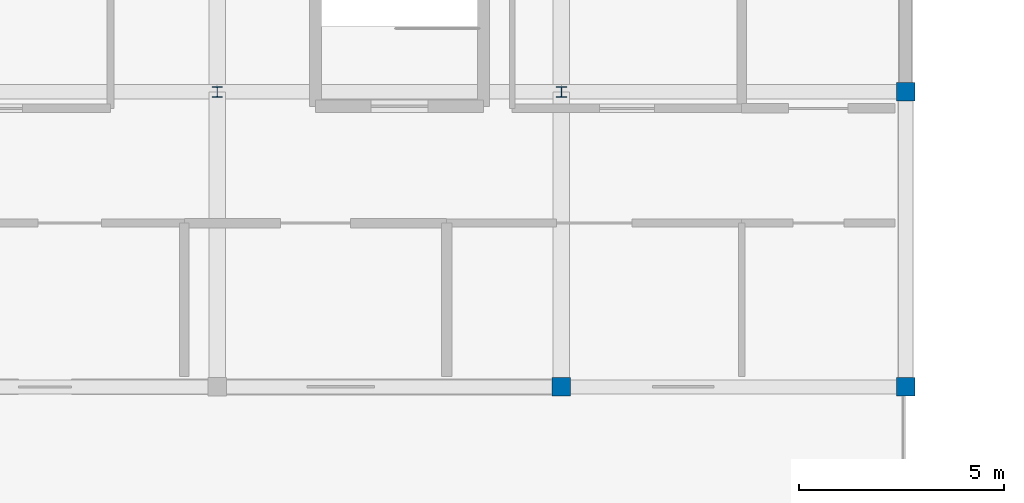
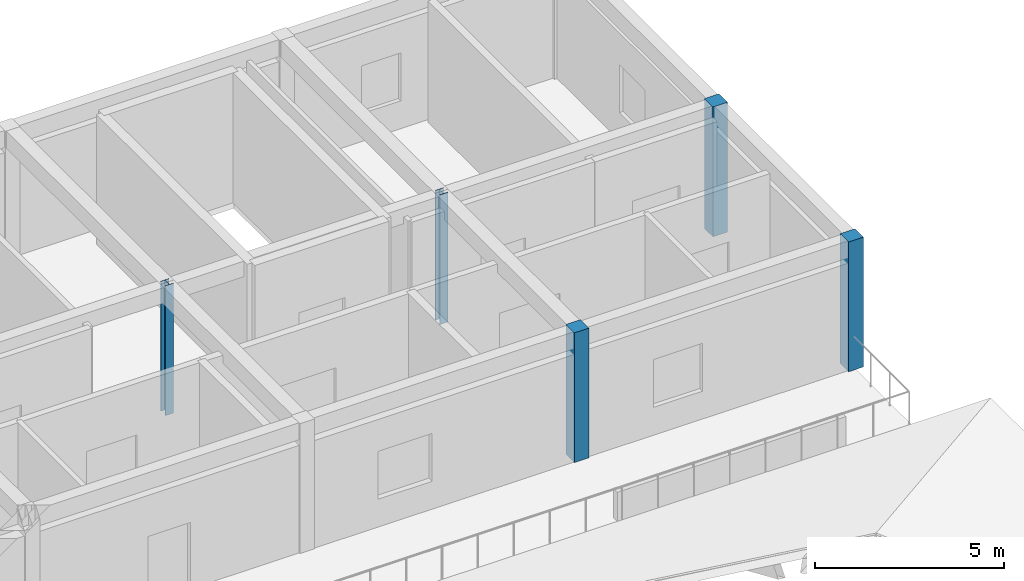
# One storey, part 7 of 22: 5 columns.
"""IFC4 building model written with IfcOpenShell, lengths in metres."""

import ifcopenshell
import ifcopenshell.guid

model = None  # the IFC model being written
_history = None  # IfcOwnerHistory: only IFC2X3 demands one
_inside = {}  # id of a spatial element -> (the spatial element, [elements in it])
_under = {}  # id of a project, library or spatial element -> (it, [spatial elements below it])
_declared = {}  # id of a project -> (the project, [libraries it declares])
_typed = {}  # id of a type object -> (the type object, [elements of that type])
_made_of = {}  # id of a material, layer set ... -> (it, [elements and type objects made of it])


def new_model(schema):
    """Start an empty IFC model of exactly this schema.

    Asked for "IFC4X3", IfcOpenShell would pick the latest addendum, in which some entities
    have other attributes; the version numbers below select the first issue.
    IFC2X3 requires an IfcOwnerHistory on every rooted entity: one is made here for all.
    """
    global model, _history
    if schema == "IFC4X3":
        model = ifcopenshell.file(schema_version=(4, 3, 0, 0))
    else:
        model = ifcopenshell.file(schema=schema)
    _inside.clear()
    _under.clear()
    _declared.clear()
    _typed.clear()
    _made_of.clear()
    _history = None
    if model.schema == "IFC2X3":
        org = make("IfcOrganization", Name="unknown")
        user = make(
            "IfcPersonAndOrganization",
            ThePerson=make("IfcPerson", FamilyName="unknown"),
            TheOrganization=org,
        )
        app = make(
            "IfcApplication",
            ApplicationDeveloper=org,
            Version="unknown",
            ApplicationFullName="unknown",
            ApplicationIdentifier="unknown",
        )
        _history = make(
            "IfcOwnerHistory",
            OwningUser=user,
            OwningApplication=app,
            ChangeAction="ADDED",
            CreationDate=0,
        )
    return model


def make(cls, **values):
    """One entity of the class cls with the attributes given. An attribute that is None is left unset."""
    return model.create_entity(
        cls, **{name: value for name, value in values.items() if value is not None}
    )


def rooted(cls, **values):
    """An entity with a GlobalId (a new one), such as an element, a storey or a relation."""
    return make(cls, GlobalId=ifcopenshell.guid.new(), OwnerHistory=_history, **values)


def si_unit(unit_type, name, prefix=None):
    """IfcSIUnit, for example si_unit("LENGTHUNIT", "METRE", prefix="MILLI")."""
    return make("IfcSIUnit", UnitType=unit_type, Prefix=prefix, Name=name)


def assignment(units):
    """IfcUnitAssignment: the units of a project."""
    return None if units is None else make("IfcUnitAssignment", Units=units)


def point(xyz):
    """IfcCartesianPoint."""
    return None if xyz is None else make("IfcCartesianPoint", Coordinates=xyz)


def direction(xyz):
    """IfcDirection."""
    return None if xyz is None else make("IfcDirection", DirectionRatios=xyz)


def frame(location, z_axis=None, x_axis=None):
    """IfcAxis2Placement3D, a coordinate frame: its origin and axes. An axis left out is left unset."""
    return make(
        "IfcAxis2Placement3D",
        Location=point(location),
        Axis=direction(z_axis),
        RefDirection=direction(x_axis),
    )


def frame_2d(location, x_axis=None):
    """IfcAxis2Placement2D, a coordinate frame in the plane: its origin and x axis."""
    return make(
        "IfcAxis2Placement2D", Location=point(location), RefDirection=direction(x_axis)
    )


def origin():
    """The frame at (0, 0, 0) with its axes left unset."""
    return frame((0.0, 0.0, 0.0))


def origin_2d():
    """The frame at (0, 0) in the plane with its x axis left unset."""
    return frame_2d((0.0, 0.0))


def place(relative_to, where):
    """IfcLocalPlacement: puts the frame where relative to a parent placement (None: the world)."""
    return make(
        "IfcLocalPlacement", PlacementRelTo=relative_to, RelativePlacement=where
    )


def context(
    kind, dimensions, precision=None, world=None, true_north=None, identifier=None
):
    """IfcGeometricRepresentationContext, for example the 3D "Model" context."""
    return make(
        "IfcGeometricRepresentationContext",
        ContextIdentifier=identifier,
        ContextType=kind,
        CoordinateSpaceDimension=dimensions,
        Precision=precision,
        WorldCoordinateSystem=world,
        TrueNorth=true_north,
    )


def subcontext(parent, identifier, kind, view, scale=None):
    """IfcGeometricRepresentationSubContext, for example "Body" below "Model"."""
    return make(
        "IfcGeometricRepresentationSubContext",
        ContextIdentifier=identifier,
        ContextType=kind,
        ParentContext=parent,
        TargetScale=scale,
        TargetView=view,
    )


def project(units=None, contexts=None):
    """IfcProject with its units and contexts."""
    return rooted(
        "IfcProject",
        Name="project",
        RepresentationContexts=contexts,
        UnitsInContext=assignment(units),
    )


def spatial(cls, under=None, at=None, **own):
    """A site, building, storey or space (cls), placed at a placement, below another one or the project."""
    s = rooted(cls, ObjectPlacement=at, **own)
    if under is not None:
        _under.setdefault(under.id(), (under, []))[1].append(s)
    return s


def profile(cls, at=None, kind="AREA", **sizes):
    """A parametric profile (cls). Its sizes go by their IFC names, for example OverallWidth=200.0."""
    return make(cls, ProfileType=kind, Position=at, **sizes)


def rectangle(**sizes):
    """IfcRectangleProfileDef."""
    return profile("IfcRectangleProfileDef", **sizes)


def i_section(**sizes):
    """IfcIShapeProfileDef."""
    return profile("IfcIShapeProfileDef", **sizes)


def extrude(swept, where, along, depth):
    """IfcExtrudedAreaSolid: the profile swept, set in the frame where, extruded along a direction by depth."""
    return make(
        "IfcExtrudedAreaSolid",
        SweptArea=swept,
        Position=where,
        ExtrudedDirection=direction(along),
        Depth=depth,
    )


def shape(context_of_items, identifier, shape_type, items):
    """IfcShapeRepresentation: the items that make up one representation, for example the "Body"."""
    return make(
        "IfcShapeRepresentation",
        ContextOfItems=context_of_items,
        RepresentationIdentifier=identifier,
        RepresentationType=shape_type,
        Items=items,
    )


def material(Name=None, Category=None):
    """IfcMaterial."""
    return make("IfcMaterial", Name=Name, Category=Category)


def material_profile(
    of_material, cross_section, Name=None, Category=None, Priority=None
):
    """IfcMaterialProfile: a cross section and its material."""
    return make(
        "IfcMaterialProfile",
        Name=Name,
        Material=of_material,
        Profile=cross_section,
        Priority=Priority,
        Category=Category,
    )


def profile_set(profiles, Name=None, composite=None):
    """IfcMaterialProfileSet."""
    return make(
        "IfcMaterialProfileSet",
        Name=Name,
        MaterialProfiles=profiles,
        CompositeProfile=composite,
    )


def made_of(thing, what):
    """Note that an element or type object is made of a material, layer set ...; save() writes the relation."""
    if what is not None:
        _made_of.setdefault(what.id(), (what, []))[1].append(thing)
    return thing


def type_object(cls, material=None, **own):
    """A type object (cls), such as IfcWallType, which elements share."""
    return made_of(rooted(cls, **own), material)


def element(
    cls,
    number,
    at=None,
    inside=None,
    cuts=None,
    type_object=None,
    material=None,
    context=None,
    identifier="Body",
    shape_type=None,
    held_by="IfcProductDefinitionShape",
    body=None,
    shapes=None,
    **own,
):
    """One element of the class cls, such as IfcWall. Its Tag is "e" and its number.

    at: its placement. inside: the storey or other place that contains it. cuts: it is an
    opening in that element (IfcRelVoidsElement). A single representation is given by context,
    identifier, shape_type and body (its items); several are given by shapes. held_by: the class
    of the entity that holds the representations. save() writes the other relations.
    """
    e = rooted(cls, Tag="e%d" % number, ObjectPlacement=at, **own)
    if body is not None:
        shapes = [shape(context, identifier, shape_type, body)]
    if shapes is not None:
        e.Representation = make(held_by, Representations=shapes)
    if inside is not None:
        _inside.setdefault(inside.id(), (inside, []))[1].append(e)
    if cuts is not None:
        rooted(
            "IfcRelVoidsElement", RelatingBuildingElement=cuts, RelatedOpeningElement=e
        )
    if type_object is not None:
        _typed.setdefault(type_object.id(), (type_object, []))[1].append(e)
    return made_of(e, material)


def aggregate(whole, parts):
    """IfcRelAggregates: a whole, such as a stair, and the parts it consists of."""
    return rooted("IfcRelAggregates", RelatingObject=whole, RelatedObjects=parts)


def save(model, path):
    """Write the relations noted so far, then the file.

    IfcRelAggregates (storeys below a building ...), IfcRelContainedInSpatialStructure (elements
    in a storey), IfcRelDefinesByType, IfcRelAssociatesMaterial and IfcRelDeclares: one each for
    every whole, place, type object, material and project.
    """
    for whole, parts in _under.values():
        aggregate(whole, parts)
    for where, things in _inside.values():
        rooted(
            "IfcRelContainedInSpatialStructure",
            RelatedElements=things,
            RelatingStructure=where,
        )
    for kind, things in _typed.values():
        rooted("IfcRelDefinesByType", RelatedObjects=things, RelatingType=kind)
    for what, things in _made_of.values():
        rooted("IfcRelAssociatesMaterial", RelatedObjects=things, RelatingMaterial=what)
    for by, libraries in _declared.values():
        rooted("IfcRelDeclares", RelatingContext=by, RelatedDefinitions=libraries)
    model.write(path)


model = new_model("IFC4")

# Units and contexts
model_context = context("Model", 3, precision=1e-05, world=origin(), true_north=direction((0.0, 1.0)))
body_context = subcontext(model_context, "Body", "Model", "MODEL_VIEW")
ifc_project = project(units=[si_unit("LENGTHUNIT", "METRE"), si_unit("AREAUNIT", "SQUARE_METRE"), si_unit("VOLUMEUNIT", "CUBIC_METRE"), si_unit("PLANEANGLEUNIT", "RADIAN"), si_unit("MASSUNIT", "GRAM", prefix="KILO")], contexts=[model_context])

# Site, building, storey
site_placement = place(None, origin())
site = spatial("IfcSite", under=ifc_project, at=site_placement, CompositionType="ELEMENT")
building_placement = place(site_placement, origin())
building = spatial("IfcBuilding", under=site, at=building_placement, Name="Varncliffe General Hospital", CompositionType="ELEMENT")
storey_placement = place(building_placement, frame((0.0, 0.0, 33.0)))
storey = spatial("IfcBuildingStorey", under=building, at=storey_placement, Name="L07", CompositionType="ELEMENT", Elevation=33.0)

# Columns
ifc_material_1 = material(Name="Concrete C40/50 (CSA A23.1 40 MPa)", Category="concrete")
ifc_material_profile_1 = material_profile(ifc_material_1, rectangle(XDim=0.449951171875, YDim=0.449951171875, at=origin_2d()), Name="RC 450x450")
ifc_profile_set_1 = profile_set([ifc_material_profile_1], Name="Concrete C40/50 (CSA A23.1 40 MPa)")
column_type_1 = type_object("IfcColumnType", Name="Column C73 (Ext RC 450x450)", PredefinedType="COLUMN", material=ifc_profile_set_1)
for number, where, z_axis, x_axis, name in (
    (1, (168.0, 109.199951171875, 0.0), (0.0, 0.0, 1.0), (1.0, 0.0, 0.0), "L07 Column C73"),
    (2, (176.39990234375, 109.199951171875, 0.0), (0.0, 0.0, 1.0), (1.0, 0.0, 0.0), "L07 Column C73"),
    (3, (176.39990234375, 116.39990234375, 0.0), (0.0, 0.0, 1.0), (1.0, 0.0, 0.0), "L07 Column C73"),
):
    element("IfcColumn", number, at=place(storey_placement, frame(where, z_axis=z_axis, x_axis=x_axis)), inside=storey, type_object=column_type_1, Name=name, PredefinedType="COLUMN", context=body_context, shape_type="SweptSolid", body=[
        extrude(rectangle(XDim=0.449951171875, YDim=0.449951171875, at=origin_2d()), origin(), (0.0, 0.0, 1.0), 4.199951171875),
    ])
ifc_material_2 = material(Name="Steel S355 (CSA G40.21 350W)", Category="steel")
ifc_material_profile_2 = material_profile(ifc_material_2, i_section(OverallWidth=0.25390625, OverallDepth=0.2529296875, WebThickness=0.008544921875, FlangeThickness=0.01416015625, FilletRadius=0.012939453125, at=origin_2d()), Name="W250x73")
ifc_profile_set_2 = profile_set([ifc_material_profile_2], Name="Steel S355 (CSA G40.21 350W)")
column_type_2 = type_object("IfcColumnType", Name="Column C75 (Int W250x73)", PredefinedType="COLUMN", material=ifc_profile_set_2)
for number, where, z_axis, x_axis, name in (
    (4, (159.60009765625, 116.39990234375, 0.0), (0.0, 0.0, 1.0), (1.0, 0.0, 0.0), "L07 Column C75"),
    (5, (168.0, 116.39990234375, 0.0), (0.0, 0.0, 1.0), (1.0, 0.0, 0.0), "L07 Column C75"),
):
    element("IfcColumn", number, at=place(storey_placement, frame(where, z_axis=z_axis, x_axis=x_axis)), inside=storey, type_object=column_type_2, Name=name, PredefinedType="COLUMN", context=body_context, shape_type="SweptSolid", body=[
        extrude(i_section(OverallWidth=0.25390625, OverallDepth=0.2529296875, WebThickness=0.008544921875, FlangeThickness=0.01416015625, FilletRadius=0.012939453125, at=origin_2d()), origin(), (0.0, 0.0, 1.0), 4.199951171875),
    ])

save(model, "model.ifc")
